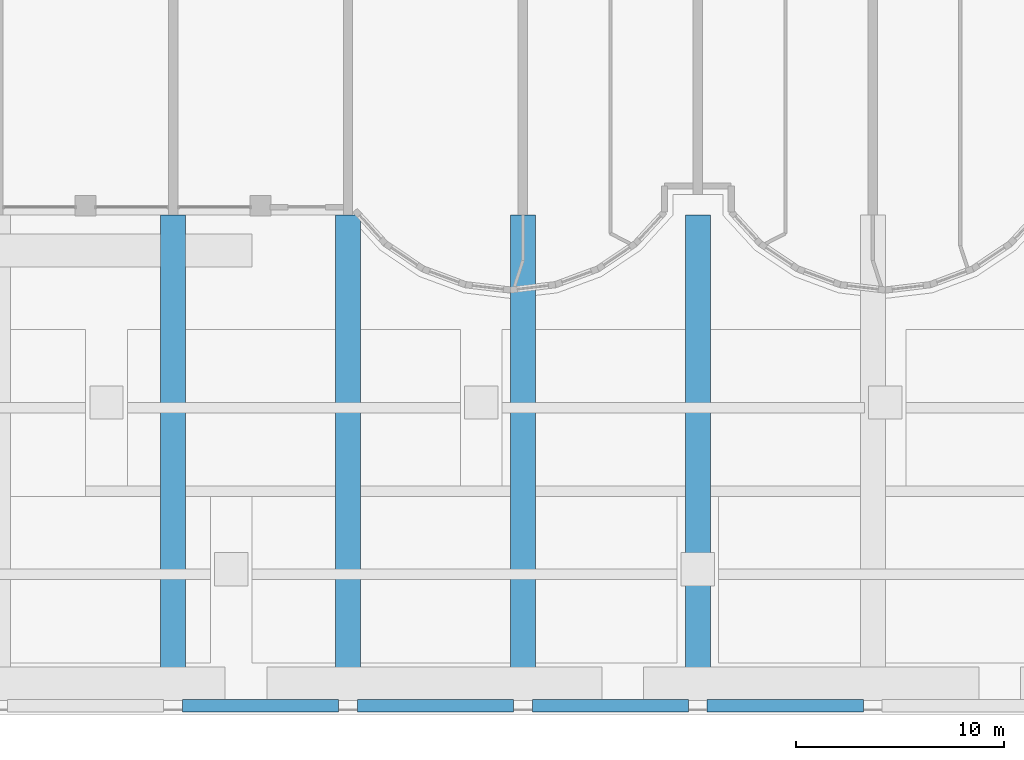
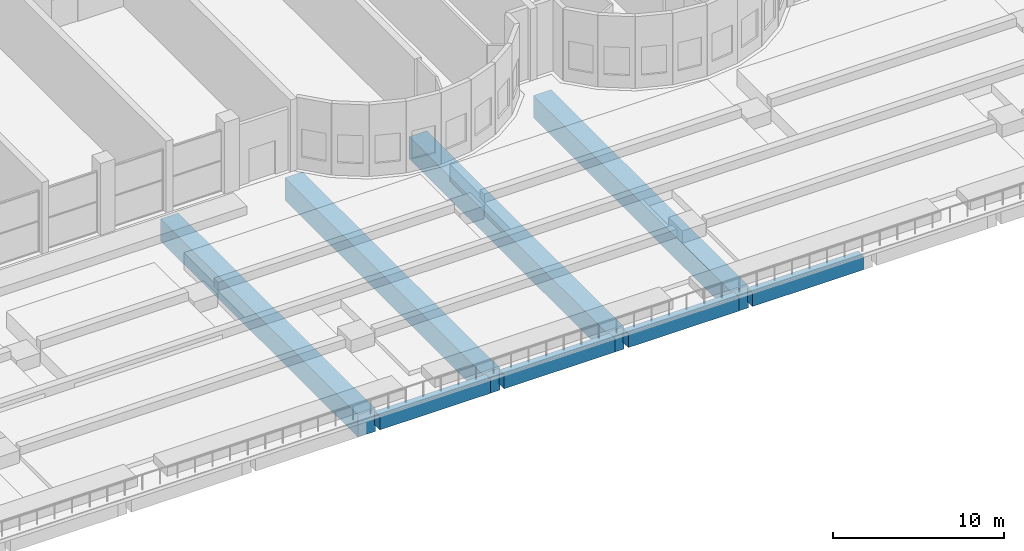
# One storey, part 3 of 20: 8 beams.
"""IFC4 building model written with IfcOpenShell, lengths in metres."""

from ifc_helpers import new_model, si_unit, direction, frame, origin, origin_2d, place, context, subcontext, project, spatial, rectangle, extrude, source, transform, mapped, material, material_profile, profile_set, type_object, element, save


model = new_model("IFC4")

# Units and contexts
model_context = context("Model", 3, precision=1e-05, world=origin(), true_north=direction((0.0, 1.0)))
body_context = subcontext(model_context, "Body", "Model", "MODEL_VIEW")
ifc_project = project(units=[si_unit("LENGTHUNIT", "METRE"), si_unit("AREAUNIT", "SQUARE_METRE"), si_unit("VOLUMEUNIT", "CUBIC_METRE"), si_unit("PLANEANGLEUNIT", "RADIAN"), si_unit("MASSUNIT", "GRAM", prefix="KILO")], contexts=[model_context])

# Site, building, storey
site_placement = place(None, origin())
site = spatial("IfcSite", under=ifc_project, at=site_placement, CompositionType="ELEMENT")
building_placement = place(site_placement, origin())
building = spatial("IfcBuilding", under=site, at=building_placement, Name="Vanashikhar Sky Hotel", CompositionType="ELEMENT")
storey_placement = place(building_placement, frame((0.0, 0.0, 6.0)))
storey = spatial("IfcBuildingStorey", under=building, at=storey_placement, Name="L01", CompositionType="ELEMENT", Elevation=6.0)

# Beams
ifc_material = material(Name="Concrete M50", Category="concrete")
ifc_material_profile_1 = material_profile(ifc_material, rectangle(XDim=0.60009765625, YDim=1.0, at=origin_2d()))
ifc_profile_set_1 = profile_set([ifc_material_profile_1], Name="RC 600x1000 beam Concrete M50")
beam_type_1 = type_object("IfcBeamType", Name="RC 600x1000 beam Concrete M50", PredefinedType="SPANDREL", material=ifc_profile_set_1)
shared_shape_1 = source(origin(), body_context, "Body", "SweptSolid", [
    extrude(rectangle(XDim=0.60009765625, YDim=1.0, at=origin_2d()), origin(), (0.0, 0.0, 1.0), 7.5),
])
for number, where, z_axis, x_axis, name in (
    (1, (25.64990234375, -23.550048828125, -0.780029296875), (1.0, 0.0, 0.0), (0.0, 1.0, 0.0), "EB-L01-D04"),
    (2, (34.050048828125, -23.550048828125, -0.780029296875), (1.0, 0.0, 0.0), (0.0, 1.0, 0.0), "EB-L01-D05"),
    (3, (42.449951171875, -23.550048828125, -0.780029296875), (1.0, 0.0, 0.0), (0.0, 1.0, 0.0), "EB-L01-D06"),
    (4, (50.85009765625, -23.550048828125, -0.780029296875), (1.0, 0.0, 0.0), (0.0, 1.0, 0.0), "EB-L01-D07"),
):
    element("IfcBeam", number, at=place(storey_placement, frame(where, z_axis=z_axis, x_axis=x_axis)), inside=storey, type_object=beam_type_1, Name=name, PredefinedType="SPANDREL", context=body_context, shape_type="MappedRepresentation", body=[
        mapped(shared_shape_1, transform((0.0, 0.0, 0.0), scale=1.0)),
    ])
ifc_material_profile_2 = material_profile(ifc_material, rectangle(XDim=1.199951171875, YDim=1.60009765625, at=origin_2d()))
ifc_profile_set_2 = profile_set([ifc_material_profile_2], Name="RC 1200x1600 beam Concrete M50")
beam_type_2 = type_object("IfcBeamType", Name="RC 1200x1600 beam Concrete M50", PredefinedType="BEAM", material=ifc_profile_set_2)
shared_shape_2 = source(origin(), body_context, "Body", "SweptSolid", [
    extrude(rectangle(XDim=1.199951171875, YDim=1.60009765625, at=origin_2d()), origin(), (0.0, 0.0, 1.0), 23.10009765625),
])
for number, where, z_axis, x_axis, name in (
    (5, (25.199951171875, -23.10009765625, -1.080078125), (0.0, 1.0, 0.0), (-1.0, 0.0, 0.0), "TG-L01-04"),
    (6, (33.60009765625, -23.10009765625, -1.080078125), (0.0, 1.0, 0.0), (-1.0, 0.0, 0.0), "TG-L01-05"),
    (7, (42.0, -23.10009765625, -1.080078125), (0.0, 1.0, 0.0), (-1.0, 0.0, 0.0), "TG-L01-06"),
    (8, (50.39990234375, -23.10009765625, -1.080078125), (0.0, 1.0, 0.0), (-1.0, 0.0, 0.0), "TG-L01-07"),
):
    element("IfcBeam", number, at=place(storey_placement, frame(where, z_axis=z_axis, x_axis=x_axis)), inside=storey, type_object=beam_type_2, Name=name, PredefinedType="BEAM", context=body_context, shape_type="MappedRepresentation", body=[
        mapped(shared_shape_2, transform((0.0, 0.0, 0.0), scale=1.0)),
    ])

save(model, "model.ifc")
